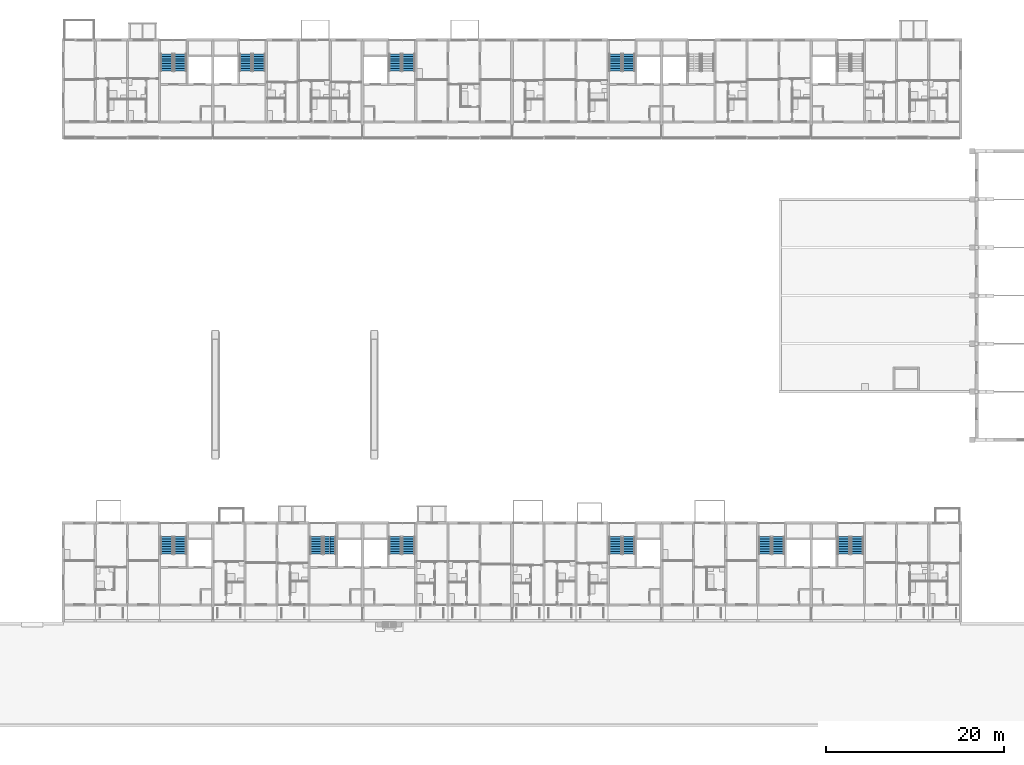
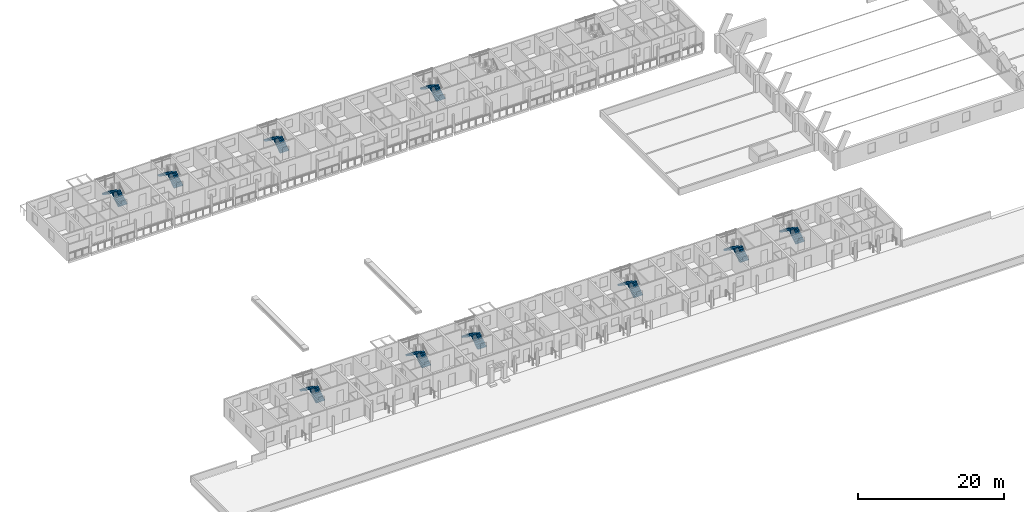
# One storey, part 74 of 115: 20 stair flights, 10 elements without a shape of their own.
"""IFC4 building model written with IfcOpenShell, lengths in metres."""

from ifc_helpers import new_model, si_unit, direction, frame, origin, place, context, subcontext, project, spatial, polyline, outline, extrude, material, type_object, element, aggregate, save


model = new_model("IFC4")

# Units and contexts
model_context = context("Model", 3, precision=1e-05, world=origin(), true_north=direction((0.0, 1.0)))
body_context = subcontext(model_context, "Body", "Model", "MODEL_VIEW")
ifc_project = project(units=[si_unit("LENGTHUNIT", "METRE"), si_unit("AREAUNIT", "SQUARE_METRE"), si_unit("VOLUMEUNIT", "CUBIC_METRE"), si_unit("PLANEANGLEUNIT", "RADIAN"), si_unit("MASSUNIT", "GRAM", prefix="KILO")], contexts=[model_context])

# Site, building, storey
site_placement = place(None, origin())
site = spatial("IfcSite", under=ifc_project, at=site_placement, CompositionType="ELEMENT")
building_placement = place(site_placement, origin())
building = spatial("IfcBuilding", under=site, at=building_placement, Name="Ridgestep Commons", CompositionType="ELEMENT")
storey_placement = place(building_placement, frame((0.0, 0.0, 6.0)))
storey = spatial("IfcBuildingStorey", under=building, at=storey_placement, Name="L02", CompositionType="ELEMENT", Elevation=6.0)

# Stair, stair flights
ifc_material_1 = material(Name="Precast concrete C40/50", Category="concrete")
stair_type = type_object("IfcStairType", Name="Escape stair 1400", PredefinedType="HALF_TURN_STAIR", material=ifc_material_1)
stair_1_placement = place(storey_placement, origin())
stair_1 = element("IfcStair", 1, at=stair_1_placement, inside=storey, type_object=stair_type, Name="L02 Escape stair A1C", PredefinedType="HALF_TURN_STAIR")
ifc_material_2 = material(Name="Precast concrete C40/50", Category="concrete")
stair_flight_type = type_object("IfcStairFlightType", Name="Stair flight 1400", PredefinedType="STRAIGHT", material=ifc_material_2)
stair_flight_1_placement = place(storey_placement, frame((25.125, 19.35009765625, 0.0), z_axis=(0.0, 0.0, 1.0), x_axis=(0.0, 1.0, 0.0)))
stair_flight_1 = element("IfcStairFlight", 2, at=stair_flight_1_placement, type_object=stair_flight_type, Name="A1C flight 1", NumberOfRisers=8, NumberOfTreads=7, PredefinedType="STRAIGHT", RiserHeight=0.1875, TreadLength=0.28, context=body_context, shape_type="SweptSolid", body=[
    extrude(outline(polyline([(0.0, 0.0), (0.0, 0.1875), (0.280029296875, 0.1875), (0.280029296875, 0.375), (0.56005859375, 0.375), (0.56005859375, 0.5625), (0.840087890625, 0.5625), (0.840087890625, 0.75), (1.1201171875, 0.75), (1.1201171875, 0.9375), (1.39990234375, 0.9375), (1.39990234375, 1.125), (1.679931640625, 1.125), (1.679931640625, 1.3125), (1.9599609375, 1.3125), (1.9599609375, 1.5), (1.9599609375, 1.132080078125), (0.26953125, 0.0), (0.0, 0.0)])), frame((0.0, 0.699951171875, 0.0), z_axis=(0.0, -1.0, 0.0), x_axis=(1.0, 0.0, 0.0)), (0.0, 0.0, 1.0), 0.695068359375),
    extrude(outline(polyline([(0.0, 0.0), (0.0, 0.1875), (0.280029296875, 0.1875), (0.280029296875, 0.375), (0.56005859375, 0.375), (0.56005859375, 0.5625), (0.840087890625, 0.5625), (0.840087890625, 0.75), (1.1201171875, 0.75), (1.1201171875, 0.9375), (1.39990234375, 0.9375), (1.39990234375, 1.125), (1.679931640625, 1.125), (1.679931640625, 1.3125), (1.9599609375, 1.3125), (1.9599609375, 1.5), (1.9599609375, 1.132080078125), (0.26953125, 0.0), (0.0, 0.0)])), frame((0.0, -0.0048828125, 0.0), z_axis=(0.0, -1.0, 0.0), x_axis=(1.0, 0.0, 0.0)), (0.0, 0.0, 1.0), 0.695068359375),
])
stair_flight_2_placement = place(storey_placement, frame((23.625, 21.31005859375, 1.5), z_axis=(0.0, 0.0, 1.0), x_axis=(0.0, -1.0, 0.0)))
stair_flight_2 = element("IfcStairFlight", 3, at=stair_flight_2_placement, type_object=stair_flight_type, Name="A1C flight 2", NumberOfRisers=8, NumberOfTreads=7, PredefinedType="STRAIGHT", RiserHeight=0.1875, TreadLength=0.28, context=body_context, shape_type="SweptSolid", body=[
    extrude(outline(polyline([(0.0, 0.0), (0.0, 0.1875), (0.280029296875, 0.1875), (0.280029296875, 0.375), (0.56005859375, 0.375), (0.56005859375, 0.5625), (0.840087890625, 0.5625), (0.840087890625, 0.75), (1.1201171875, 0.75), (1.1201171875, 0.9375), (1.39990234375, 0.9375), (1.39990234375, 1.125), (1.679931640625, 1.125), (1.679931640625, 1.3125), (1.9599609375, 1.3125), (1.9599609375, 1.5), (1.9599609375, 1.132080078125), (0.26953125, 0.0), (0.0, 0.0)])), frame((0.0, 0.699951171875, 0.0), z_axis=(0.0, -1.0, 0.0), x_axis=(1.0, 0.0, 0.0)), (0.0, 0.0, 1.0), 0.695068359375),
    extrude(outline(polyline([(0.0, 0.0), (0.0, 0.1875), (0.280029296875, 0.1875), (0.280029296875, 0.375), (0.56005859375, 0.375), (0.56005859375, 0.5625), (0.840087890625, 0.5625), (0.840087890625, 0.75), (1.1201171875, 0.75), (1.1201171875, 0.9375), (1.39990234375, 0.9375), (1.39990234375, 1.125), (1.679931640625, 1.125), (1.679931640625, 1.3125), (1.9599609375, 1.3125), (1.9599609375, 1.5), (1.9599609375, 1.132080078125), (0.26953125, 0.0), (0.0, 0.0)])), frame((0.0, -0.0048828125, 0.0), z_axis=(0.0, -1.0, 0.0), x_axis=(1.0, 0.0, 0.0)), (0.0, 0.0, 1.0), 0.695068359375),
])
aggregate(stair_1, [stair_flight_1, stair_flight_2])

stair_2_placement = place(storey_placement, origin())
stair_2 = element("IfcStair", 4, at=stair_2_placement, inside=storey, type_object=stair_type, Name="L02 Escape stair A2C", PredefinedType="HALF_TURN_STAIR")
stair_flight_3_placement = place(storey_placement, frame((41.925048828125, 19.35009765625, 0.0), z_axis=(0.0, 0.0, 1.0), x_axis=(0.0, 1.0, 0.0)))
stair_flight_3 = element("IfcStairFlight", 5, at=stair_flight_3_placement, type_object=stair_flight_type, Name="A2C flight 1", NumberOfRisers=8, NumberOfTreads=7, PredefinedType="STRAIGHT", RiserHeight=0.1875, TreadLength=0.28, context=body_context, shape_type="SweptSolid", body=[
    extrude(outline(polyline([(0.0, 0.0), (0.0, 0.1875), (0.280029296875, 0.1875), (0.280029296875, 0.375), (0.56005859375, 0.375), (0.56005859375, 0.5625), (0.840087890625, 0.5625), (0.840087890625, 0.75), (1.1201171875, 0.75), (1.1201171875, 0.9375), (1.39990234375, 0.9375), (1.39990234375, 1.125), (1.679931640625, 1.125), (1.679931640625, 1.3125), (1.9599609375, 1.3125), (1.9599609375, 1.5), (1.9599609375, 1.132080078125), (0.26953125, 0.0), (0.0, 0.0)])), frame((0.0, 0.699951171875, 0.0), z_axis=(0.0, -1.0, 0.0), x_axis=(1.0, 0.0, 0.0)), (0.0, 0.0, 1.0), 0.695068359375),
    extrude(outline(polyline([(0.0, 0.0), (0.0, 0.1875), (0.280029296875, 0.1875), (0.280029296875, 0.375), (0.56005859375, 0.375), (0.56005859375, 0.5625), (0.840087890625, 0.5625), (0.840087890625, 0.75), (1.1201171875, 0.75), (1.1201171875, 0.9375), (1.39990234375, 0.9375), (1.39990234375, 1.125), (1.679931640625, 1.125), (1.679931640625, 1.3125), (1.9599609375, 1.3125), (1.9599609375, 1.5), (1.9599609375, 1.132080078125), (0.26953125, 0.0), (0.0, 0.0)])), frame((0.0, -0.0048828125, 0.0), z_axis=(0.0, -1.0, 0.0), x_axis=(1.0, 0.0, 0.0)), (0.0, 0.0, 1.0), 0.695068359375),
])
stair_flight_4_placement = place(storey_placement, frame((40.425048828125, 21.31005859375, 1.5), z_axis=(0.0, 0.0, 1.0), x_axis=(0.0, -1.0, 0.0)))
stair_flight_4 = element("IfcStairFlight", 6, at=stair_flight_4_placement, type_object=stair_flight_type, Name="A2C flight 2", NumberOfRisers=8, NumberOfTreads=7, PredefinedType="STRAIGHT", RiserHeight=0.1875, TreadLength=0.28, context=body_context, shape_type="SweptSolid", body=[
    extrude(outline(polyline([(0.0, 0.0), (0.0, 0.1875), (0.280029296875, 0.1875), (0.280029296875, 0.375), (0.56005859375, 0.375), (0.56005859375, 0.5625), (0.840087890625, 0.5625), (0.840087890625, 0.75), (1.1201171875, 0.75), (1.1201171875, 0.9375), (1.39990234375, 0.9375), (1.39990234375, 1.125), (1.679931640625, 1.125), (1.679931640625, 1.3125), (1.9599609375, 1.3125), (1.9599609375, 1.5), (1.9599609375, 1.132080078125), (0.26953125, 0.0), (0.0, 0.0)])), frame((0.0, 0.699951171875, 0.0), z_axis=(0.0, -1.0, 0.0), x_axis=(1.0, 0.0, 0.0)), (0.0, 0.0, 1.0), 0.695068359375),
    extrude(outline(polyline([(0.0, 0.0), (0.0, 0.1875), (0.280029296875, 0.1875), (0.280029296875, 0.375), (0.56005859375, 0.375), (0.56005859375, 0.5625), (0.840087890625, 0.5625), (0.840087890625, 0.75), (1.1201171875, 0.75), (1.1201171875, 0.9375), (1.39990234375, 0.9375), (1.39990234375, 1.125), (1.679931640625, 1.125), (1.679931640625, 1.3125), (1.9599609375, 1.3125), (1.9599609375, 1.5), (1.9599609375, 1.132080078125), (0.26953125, 0.0), (0.0, 0.0)])), frame((0.0, -0.0048828125, 0.0), z_axis=(0.0, -1.0, 0.0), x_axis=(1.0, 0.0, 0.0)), (0.0, 0.0, 1.0), 0.695068359375),
])
aggregate(stair_2, [stair_flight_3, stair_flight_4])

stair_3_placement = place(storey_placement, origin())
stair_3 = element("IfcStair", 7, at=stair_3_placement, inside=storey, type_object=stair_type, Name="L02 Escape stair A3C", PredefinedType="HALF_TURN_STAIR")
stair_flight_5_placement = place(storey_placement, frame((50.77490234375, 19.35009765625, 0.0), z_axis=(0.0, 0.0, 1.0), x_axis=(0.0, 1.0, 0.0)))
stair_flight_5 = element("IfcStairFlight", 8, at=stair_flight_5_placement, type_object=stair_flight_type, Name="A3C flight 1", NumberOfRisers=8, NumberOfTreads=7, PredefinedType="STRAIGHT", RiserHeight=0.1875, TreadLength=0.28, context=body_context, shape_type="SweptSolid", body=[
    extrude(outline(polyline([(0.0, 0.0), (0.0, 0.1875), (0.280029296875, 0.1875), (0.280029296875, 0.375), (0.56005859375, 0.375), (0.56005859375, 0.5625), (0.840087890625, 0.5625), (0.840087890625, 0.75), (1.1201171875, 0.75), (1.1201171875, 0.9375), (1.39990234375, 0.9375), (1.39990234375, 1.125), (1.679931640625, 1.125), (1.679931640625, 1.3125), (1.9599609375, 1.3125), (1.9599609375, 1.5), (1.9599609375, 1.132080078125), (0.26953125, 0.0), (0.0, 0.0)])), frame((0.0, 0.699951171875, 0.0), z_axis=(0.0, -1.0, 0.0), x_axis=(1.0, 0.0, 0.0)), (0.0, 0.0, 1.0), 0.695068359375),
    extrude(outline(polyline([(0.0, 0.0), (0.0, 0.1875), (0.280029296875, 0.1875), (0.280029296875, 0.375), (0.56005859375, 0.375), (0.56005859375, 0.5625), (0.840087890625, 0.5625), (0.840087890625, 0.75), (1.1201171875, 0.75), (1.1201171875, 0.9375), (1.39990234375, 0.9375), (1.39990234375, 1.125), (1.679931640625, 1.125), (1.679931640625, 1.3125), (1.9599609375, 1.3125), (1.9599609375, 1.5), (1.9599609375, 1.132080078125), (0.26953125, 0.0), (0.0, 0.0)])), frame((0.0, -0.0048828125, 0.0), z_axis=(0.0, -1.0, 0.0), x_axis=(1.0, 0.0, 0.0)), (0.0, 0.0, 1.0), 0.695068359375),
])
stair_flight_6_placement = place(storey_placement, frame((49.27490234375, 21.31005859375, 1.5), z_axis=(0.0, 0.0, 1.0), x_axis=(0.0, -1.0, 0.0)))
stair_flight_6 = element("IfcStairFlight", 9, at=stair_flight_6_placement, type_object=stair_flight_type, Name="A3C flight 2", NumberOfRisers=8, NumberOfTreads=7, PredefinedType="STRAIGHT", RiserHeight=0.1875, TreadLength=0.28, context=body_context, shape_type="SweptSolid", body=[
    extrude(outline(polyline([(0.0, 0.0), (0.0, 0.1875), (0.280029296875, 0.1875), (0.280029296875, 0.375), (0.56005859375, 0.375), (0.56005859375, 0.5625), (0.840087890625, 0.5625), (0.840087890625, 0.75), (1.1201171875, 0.75), (1.1201171875, 0.9375), (1.39990234375, 0.9375), (1.39990234375, 1.125), (1.679931640625, 1.125), (1.679931640625, 1.3125), (1.9599609375, 1.3125), (1.9599609375, 1.5), (1.9599609375, 1.132080078125), (0.26953125, 0.0), (0.0, 0.0)])), frame((0.0, 0.699951171875, 0.0), z_axis=(0.0, -1.0, 0.0), x_axis=(1.0, 0.0, 0.0)), (0.0, 0.0, 1.0), 0.695068359375),
    extrude(outline(polyline([(0.0, 0.0), (0.0, 0.1875), (0.280029296875, 0.1875), (0.280029296875, 0.375), (0.56005859375, 0.375), (0.56005859375, 0.5625), (0.840087890625, 0.5625), (0.840087890625, 0.75), (1.1201171875, 0.75), (1.1201171875, 0.9375), (1.39990234375, 0.9375), (1.39990234375, 1.125), (1.679931640625, 1.125), (1.679931640625, 1.3125), (1.9599609375, 1.3125), (1.9599609375, 1.5), (1.9599609375, 1.132080078125), (0.26953125, 0.0), (0.0, 0.0)])), frame((0.0, -0.0048828125, 0.0), z_axis=(0.0, -1.0, 0.0), x_axis=(1.0, 0.0, 0.0)), (0.0, 0.0, 1.0), 0.695068359375),
])
aggregate(stair_3, [stair_flight_5, stair_flight_6])

stair_4_placement = place(storey_placement, origin())
stair_4 = element("IfcStair", 10, at=stair_4_placement, inside=storey, type_object=stair_type, Name="L02 Escape stair A4C", PredefinedType="HALF_TURN_STAIR")
stair_flight_7_placement = place(storey_placement, frame((75.52490234375, 19.35009765625, 0.0), z_axis=(0.0, 0.0, 1.0), x_axis=(0.0, 1.0, 0.0)))
stair_flight_7 = element("IfcStairFlight", 11, at=stair_flight_7_placement, type_object=stair_flight_type, Name="A4C flight 1", NumberOfRisers=8, NumberOfTreads=7, PredefinedType="STRAIGHT", RiserHeight=0.1875, TreadLength=0.28, context=body_context, shape_type="SweptSolid", body=[
    extrude(outline(polyline([(0.0, 0.0), (0.0, 0.1875), (0.280029296875, 0.1875), (0.280029296875, 0.375), (0.56005859375, 0.375), (0.56005859375, 0.5625), (0.840087890625, 0.5625), (0.840087890625, 0.75), (1.1201171875, 0.75), (1.1201171875, 0.9375), (1.39990234375, 0.9375), (1.39990234375, 1.125), (1.679931640625, 1.125), (1.679931640625, 1.3125), (1.9599609375, 1.3125), (1.9599609375, 1.5), (1.9599609375, 1.132080078125), (0.26953125, 0.0), (0.0, 0.0)])), frame((0.0, 0.699951171875, 0.0), z_axis=(0.0, -1.0, 0.0), x_axis=(1.0, 0.0, 0.0)), (0.0, 0.0, 1.0), 0.695068359375),
    extrude(outline(polyline([(0.0, 0.0), (0.0, 0.1875), (0.280029296875, 0.1875), (0.280029296875, 0.375), (0.56005859375, 0.375), (0.56005859375, 0.5625), (0.840087890625, 0.5625), (0.840087890625, 0.75), (1.1201171875, 0.75), (1.1201171875, 0.9375), (1.39990234375, 0.9375), (1.39990234375, 1.125), (1.679931640625, 1.125), (1.679931640625, 1.3125), (1.9599609375, 1.3125), (1.9599609375, 1.5), (1.9599609375, 1.132080078125), (0.26953125, 0.0), (0.0, 0.0)])), frame((0.0, -0.0048828125, 0.0), z_axis=(0.0, -1.0, 0.0), x_axis=(1.0, 0.0, 0.0)), (0.0, 0.0, 1.0), 0.695068359375),
])
stair_flight_8_placement = place(storey_placement, frame((74.02490234375, 21.31005859375, 1.5), z_axis=(0.0, 0.0, 1.0), x_axis=(0.0, -1.0, 0.0)))
stair_flight_8 = element("IfcStairFlight", 12, at=stair_flight_8_placement, type_object=stair_flight_type, Name="A4C flight 2", NumberOfRisers=8, NumberOfTreads=7, PredefinedType="STRAIGHT", RiserHeight=0.1875, TreadLength=0.28, context=body_context, shape_type="SweptSolid", body=[
    extrude(outline(polyline([(0.0, 0.0), (0.0, 0.1875), (0.280029296875, 0.1875), (0.280029296875, 0.375), (0.56005859375, 0.375), (0.56005859375, 0.5625), (0.840087890625, 0.5625), (0.840087890625, 0.75), (1.1201171875, 0.75), (1.1201171875, 0.9375), (1.39990234375, 0.9375), (1.39990234375, 1.125), (1.679931640625, 1.125), (1.679931640625, 1.3125), (1.9599609375, 1.3125), (1.9599609375, 1.5), (1.9599609375, 1.132080078125), (0.26953125, 0.0), (0.0, 0.0)])), frame((0.0, 0.699951171875, 0.0), z_axis=(0.0, -1.0, 0.0), x_axis=(1.0, 0.0, 0.0)), (0.0, 0.0, 1.0), 0.695068359375),
    extrude(outline(polyline([(0.0, 0.0), (0.0, 0.1875), (0.280029296875, 0.1875), (0.280029296875, 0.375), (0.56005859375, 0.375), (0.56005859375, 0.5625), (0.840087890625, 0.5625), (0.840087890625, 0.75), (1.1201171875, 0.75), (1.1201171875, 0.9375), (1.39990234375, 0.9375), (1.39990234375, 1.125), (1.679931640625, 1.125), (1.679931640625, 1.3125), (1.9599609375, 1.3125), (1.9599609375, 1.5), (1.9599609375, 1.132080078125), (0.26953125, 0.0), (0.0, 0.0)])), frame((0.0, -0.0048828125, 0.0), z_axis=(0.0, -1.0, 0.0), x_axis=(1.0, 0.0, 0.0)), (0.0, 0.0, 1.0), 0.695068359375),
])
aggregate(stair_4, [stair_flight_7, stair_flight_8])

stair_5_placement = place(storey_placement, origin())
stair_5 = element("IfcStair", 13, at=stair_5_placement, inside=storey, type_object=stair_type, Name="L02 Escape stair A5C", PredefinedType="HALF_TURN_STAIR")
stair_flight_9_placement = place(storey_placement, frame((92.324951171875, 19.35009765625, 0.0), z_axis=(0.0, 0.0, 1.0), x_axis=(0.0, 1.0, 0.0)))
stair_flight_9 = element("IfcStairFlight", 14, at=stair_flight_9_placement, type_object=stair_flight_type, Name="A5C flight 1", NumberOfRisers=8, NumberOfTreads=7, PredefinedType="STRAIGHT", RiserHeight=0.1875, TreadLength=0.28, context=body_context, shape_type="SweptSolid", body=[
    extrude(outline(polyline([(0.0, 0.0), (0.0, 0.1875), (0.280029296875, 0.1875), (0.280029296875, 0.375), (0.56005859375, 0.375), (0.56005859375, 0.5625), (0.840087890625, 0.5625), (0.840087890625, 0.75), (1.1201171875, 0.75), (1.1201171875, 0.9375), (1.39990234375, 0.9375), (1.39990234375, 1.125), (1.679931640625, 1.125), (1.679931640625, 1.3125), (1.9599609375, 1.3125), (1.9599609375, 1.5), (1.9599609375, 1.132080078125), (0.26953125, 0.0), (0.0, 0.0)])), frame((0.0, 0.699951171875, 0.0), z_axis=(0.0, -1.0, 0.0), x_axis=(1.0, 0.0, 0.0)), (0.0, 0.0, 1.0), 0.695068359375),
    extrude(outline(polyline([(0.0, 0.0), (0.0, 0.1875), (0.280029296875, 0.1875), (0.280029296875, 0.375), (0.56005859375, 0.375), (0.56005859375, 0.5625), (0.840087890625, 0.5625), (0.840087890625, 0.75), (1.1201171875, 0.75), (1.1201171875, 0.9375), (1.39990234375, 0.9375), (1.39990234375, 1.125), (1.679931640625, 1.125), (1.679931640625, 1.3125), (1.9599609375, 1.3125), (1.9599609375, 1.5), (1.9599609375, 1.132080078125), (0.26953125, 0.0), (0.0, 0.0)])), frame((0.0, -0.0048828125, 0.0), z_axis=(0.0, -1.0, 0.0), x_axis=(1.0, 0.0, 0.0)), (0.0, 0.0, 1.0), 0.695068359375),
])
stair_flight_10_placement = place(storey_placement, frame((90.824951171875, 21.31005859375, 1.5), z_axis=(0.0, 0.0, 1.0), x_axis=(0.0, -1.0, 0.0)))
stair_flight_10 = element("IfcStairFlight", 15, at=stair_flight_10_placement, type_object=stair_flight_type, Name="A5C flight 2", NumberOfRisers=8, NumberOfTreads=7, PredefinedType="STRAIGHT", RiserHeight=0.1875, TreadLength=0.28, context=body_context, shape_type="SweptSolid", body=[
    extrude(outline(polyline([(0.0, 0.0), (0.0, 0.1875), (0.280029296875, 0.1875), (0.280029296875, 0.375), (0.56005859375, 0.375), (0.56005859375, 0.5625), (0.840087890625, 0.5625), (0.840087890625, 0.75), (1.1201171875, 0.75), (1.1201171875, 0.9375), (1.39990234375, 0.9375), (1.39990234375, 1.125), (1.679931640625, 1.125), (1.679931640625, 1.3125), (1.9599609375, 1.3125), (1.9599609375, 1.5), (1.9599609375, 1.132080078125), (0.26953125, 0.0), (0.0, 0.0)])), frame((0.0, 0.699951171875, 0.0), z_axis=(0.0, -1.0, 0.0), x_axis=(1.0, 0.0, 0.0)), (0.0, 0.0, 1.0), 0.695068359375),
    extrude(outline(polyline([(0.0, 0.0), (0.0, 0.1875), (0.280029296875, 0.1875), (0.280029296875, 0.375), (0.56005859375, 0.375), (0.56005859375, 0.5625), (0.840087890625, 0.5625), (0.840087890625, 0.75), (1.1201171875, 0.75), (1.1201171875, 0.9375), (1.39990234375, 0.9375), (1.39990234375, 1.125), (1.679931640625, 1.125), (1.679931640625, 1.3125), (1.9599609375, 1.3125), (1.9599609375, 1.5), (1.9599609375, 1.132080078125), (0.26953125, 0.0), (0.0, 0.0)])), frame((0.0, -0.0048828125, 0.0), z_axis=(0.0, -1.0, 0.0), x_axis=(1.0, 0.0, 0.0)), (0.0, 0.0, 1.0), 0.695068359375),
])
aggregate(stair_5, [stair_flight_9, stair_flight_10])

stair_6_placement = place(storey_placement, origin())
stair_6 = element("IfcStair", 16, at=stair_6_placement, inside=storey, type_object=stair_type, Name="L02 Escape stair A6C", PredefinedType="HALF_TURN_STAIR")
stair_flight_11_placement = place(storey_placement, frame((101.175048828125, 19.35009765625, 0.0), z_axis=(0.0, 0.0, 1.0), x_axis=(0.0, 1.0, 0.0)))
stair_flight_11 = element("IfcStairFlight", 17, at=stair_flight_11_placement, type_object=stair_flight_type, Name="A6C flight 1", NumberOfRisers=8, NumberOfTreads=7, PredefinedType="STRAIGHT", RiserHeight=0.1875, TreadLength=0.28, context=body_context, shape_type="SweptSolid", body=[
    extrude(outline(polyline([(0.0, 0.0), (0.0, 0.1875), (0.280029296875, 0.1875), (0.280029296875, 0.375), (0.56005859375, 0.375), (0.56005859375, 0.5625), (0.840087890625, 0.5625), (0.840087890625, 0.75), (1.1201171875, 0.75), (1.1201171875, 0.9375), (1.39990234375, 0.9375), (1.39990234375, 1.125), (1.679931640625, 1.125), (1.679931640625, 1.3125), (1.9599609375, 1.3125), (1.9599609375, 1.5), (1.9599609375, 1.132080078125), (0.26953125, 0.0), (0.0, 0.0)])), frame((0.0, 0.699951171875, 0.0), z_axis=(0.0, -1.0, 0.0), x_axis=(1.0, 0.0, 0.0)), (0.0, 0.0, 1.0), 0.695068359375),
    extrude(outline(polyline([(0.0, 0.0), (0.0, 0.1875), (0.280029296875, 0.1875), (0.280029296875, 0.375), (0.56005859375, 0.375), (0.56005859375, 0.5625), (0.840087890625, 0.5625), (0.840087890625, 0.75), (1.1201171875, 0.75), (1.1201171875, 0.9375), (1.39990234375, 0.9375), (1.39990234375, 1.125), (1.679931640625, 1.125), (1.679931640625, 1.3125), (1.9599609375, 1.3125), (1.9599609375, 1.5), (1.9599609375, 1.132080078125), (0.26953125, 0.0), (0.0, 0.0)])), frame((0.0, -0.0048828125, 0.0), z_axis=(0.0, -1.0, 0.0), x_axis=(1.0, 0.0, 0.0)), (0.0, 0.0, 1.0), 0.695068359375),
])
stair_flight_12_placement = place(storey_placement, frame((99.675048828125, 21.31005859375, 1.5), z_axis=(0.0, 0.0, 1.0), x_axis=(0.0, -1.0, 0.0)))
stair_flight_12 = element("IfcStairFlight", 18, at=stair_flight_12_placement, type_object=stair_flight_type, Name="A6C flight 2", NumberOfRisers=8, NumberOfTreads=7, PredefinedType="STRAIGHT", RiserHeight=0.1875, TreadLength=0.28, context=body_context, shape_type="SweptSolid", body=[
    extrude(outline(polyline([(0.0, 0.0), (0.0, 0.1875), (0.280029296875, 0.1875), (0.280029296875, 0.375), (0.56005859375, 0.375), (0.56005859375, 0.5625), (0.840087890625, 0.5625), (0.840087890625, 0.75), (1.1201171875, 0.75), (1.1201171875, 0.9375), (1.39990234375, 0.9375), (1.39990234375, 1.125), (1.679931640625, 1.125), (1.679931640625, 1.3125), (1.9599609375, 1.3125), (1.9599609375, 1.5), (1.9599609375, 1.132080078125), (0.26953125, 0.0), (0.0, 0.0)])), frame((0.0, 0.699951171875, 0.0), z_axis=(0.0, -1.0, 0.0), x_axis=(1.0, 0.0, 0.0)), (0.0, 0.0, 1.0), 0.695068359375),
    extrude(outline(polyline([(0.0, 0.0), (0.0, 0.1875), (0.280029296875, 0.1875), (0.280029296875, 0.375), (0.56005859375, 0.375), (0.56005859375, 0.5625), (0.840087890625, 0.5625), (0.840087890625, 0.75), (1.1201171875, 0.75), (1.1201171875, 0.9375), (1.39990234375, 0.9375), (1.39990234375, 1.125), (1.679931640625, 1.125), (1.679931640625, 1.3125), (1.9599609375, 1.3125), (1.9599609375, 1.5), (1.9599609375, 1.132080078125), (0.26953125, 0.0), (0.0, 0.0)])), frame((0.0, -0.0048828125, 0.0), z_axis=(0.0, -1.0, 0.0), x_axis=(1.0, 0.0, 0.0)), (0.0, 0.0, 1.0), 0.695068359375),
])
aggregate(stair_6, [stair_flight_11, stair_flight_12])

stair_7_placement = place(storey_placement, origin())
stair_7 = element("IfcStair", 19, at=stair_7_placement, inside=storey, type_object=stair_type, Name="L02 Escape stair B1C", PredefinedType="HALF_TURN_STAIR")
stair_flight_13_placement = place(storey_placement, frame((25.125, 73.60009765625, 0.0), z_axis=(0.0, 0.0, 1.0), x_axis=(0.0, 1.0, 0.0)))
stair_flight_13 = element("IfcStairFlight", 20, at=stair_flight_13_placement, type_object=stair_flight_type, Name="B1C flight 1", NumberOfRisers=8, NumberOfTreads=7, PredefinedType="STRAIGHT", RiserHeight=0.1875, TreadLength=0.28, context=body_context, shape_type="SweptSolid", body=[
    extrude(outline(polyline([(0.0, 0.0), (0.0, 0.1875), (0.280029296875, 0.1875), (0.280029296875, 0.375), (0.56005859375, 0.375), (0.56005859375, 0.5625), (0.840087890625, 0.5625), (0.840087890625, 0.75), (1.1201171875, 0.75), (1.1201171875, 0.9375), (1.39990234375, 0.9375), (1.39990234375, 1.125), (1.679931640625, 1.125), (1.679931640625, 1.3125), (1.9599609375, 1.3125), (1.9599609375, 1.5), (1.9599609375, 1.132080078125), (0.26953125, 0.0), (0.0, 0.0)])), frame((0.0, 0.699951171875, 0.0), z_axis=(0.0, -1.0, 0.0), x_axis=(1.0, 0.0, 0.0)), (0.0, 0.0, 1.0), 0.695068359375),
    extrude(outline(polyline([(0.0, 0.0), (0.0, 0.1875), (0.280029296875, 0.1875), (0.280029296875, 0.375), (0.56005859375, 0.375), (0.56005859375, 0.5625), (0.840087890625, 0.5625), (0.840087890625, 0.75), (1.1201171875, 0.75), (1.1201171875, 0.9375), (1.39990234375, 0.9375), (1.39990234375, 1.125), (1.679931640625, 1.125), (1.679931640625, 1.3125), (1.9599609375, 1.3125), (1.9599609375, 1.5), (1.9599609375, 1.132080078125), (0.26953125, 0.0), (0.0, 0.0)])), frame((0.0, -0.0048828125, 0.0), z_axis=(0.0, -1.0, 0.0), x_axis=(1.0, 0.0, 0.0)), (0.0, 0.0, 1.0), 0.695068359375),
])
stair_flight_14_placement = place(storey_placement, frame((23.625, 75.56005859375, 1.5), z_axis=(0.0, 0.0, 1.0), x_axis=(0.0, -1.0, 0.0)))
stair_flight_14 = element("IfcStairFlight", 21, at=stair_flight_14_placement, type_object=stair_flight_type, Name="B1C flight 2", NumberOfRisers=8, NumberOfTreads=7, PredefinedType="STRAIGHT", RiserHeight=0.1875, TreadLength=0.28, context=body_context, shape_type="SweptSolid", body=[
    extrude(outline(polyline([(0.0, 0.0), (0.0, 0.1875), (0.280029296875, 0.1875), (0.280029296875, 0.375), (0.56005859375, 0.375), (0.56005859375, 0.5625), (0.840087890625, 0.5625), (0.840087890625, 0.75), (1.1201171875, 0.75), (1.1201171875, 0.9375), (1.39990234375, 0.9375), (1.39990234375, 1.125), (1.679931640625, 1.125), (1.679931640625, 1.3125), (1.9599609375, 1.3125), (1.9599609375, 1.5), (1.9599609375, 1.132080078125), (0.26953125, 0.0), (0.0, 0.0)])), frame((0.0, 0.699951171875, 0.0), z_axis=(0.0, -1.0, 0.0), x_axis=(1.0, 0.0, 0.0)), (0.0, 0.0, 1.0), 0.695068359375),
    extrude(outline(polyline([(0.0, 0.0), (0.0, 0.1875), (0.280029296875, 0.1875), (0.280029296875, 0.375), (0.56005859375, 0.375), (0.56005859375, 0.5625), (0.840087890625, 0.5625), (0.840087890625, 0.75), (1.1201171875, 0.75), (1.1201171875, 0.9375), (1.39990234375, 0.9375), (1.39990234375, 1.125), (1.679931640625, 1.125), (1.679931640625, 1.3125), (1.9599609375, 1.3125), (1.9599609375, 1.5), (1.9599609375, 1.132080078125), (0.26953125, 0.0), (0.0, 0.0)])), frame((0.0, -0.0048828125, 0.0), z_axis=(0.0, -1.0, 0.0), x_axis=(1.0, 0.0, 0.0)), (0.0, 0.0, 1.0), 0.695068359375),
])
aggregate(stair_7, [stair_flight_13, stair_flight_14])

stair_8_placement = place(storey_placement, origin())
stair_8 = element("IfcStair", 22, at=stair_8_placement, inside=storey, type_object=stair_type, Name="L02 Escape stair B2C", PredefinedType="HALF_TURN_STAIR")
stair_flight_15_placement = place(storey_placement, frame((33.97509765625, 73.60009765625, 0.0), z_axis=(0.0, 0.0, 1.0), x_axis=(0.0, 1.0, 0.0)))
stair_flight_15 = element("IfcStairFlight", 23, at=stair_flight_15_placement, type_object=stair_flight_type, Name="B2C flight 1", NumberOfRisers=8, NumberOfTreads=7, PredefinedType="STRAIGHT", RiserHeight=0.1875, TreadLength=0.28, context=body_context, shape_type="SweptSolid", body=[
    extrude(outline(polyline([(0.0, 0.0), (0.0, 0.1875), (0.280029296875, 0.1875), (0.280029296875, 0.375), (0.56005859375, 0.375), (0.56005859375, 0.5625), (0.840087890625, 0.5625), (0.840087890625, 0.75), (1.1201171875, 0.75), (1.1201171875, 0.9375), (1.39990234375, 0.9375), (1.39990234375, 1.125), (1.679931640625, 1.125), (1.679931640625, 1.3125), (1.9599609375, 1.3125), (1.9599609375, 1.5), (1.9599609375, 1.132080078125), (0.26953125, 0.0), (0.0, 0.0)])), frame((0.0, 0.699951171875, 0.0), z_axis=(0.0, -1.0, 0.0), x_axis=(1.0, 0.0, 0.0)), (0.0, 0.0, 1.0), 0.695068359375),
    extrude(outline(polyline([(0.0, 0.0), (0.0, 0.1875), (0.280029296875, 0.1875), (0.280029296875, 0.375), (0.56005859375, 0.375), (0.56005859375, 0.5625), (0.840087890625, 0.5625), (0.840087890625, 0.75), (1.1201171875, 0.75), (1.1201171875, 0.9375), (1.39990234375, 0.9375), (1.39990234375, 1.125), (1.679931640625, 1.125), (1.679931640625, 1.3125), (1.9599609375, 1.3125), (1.9599609375, 1.5), (1.9599609375, 1.132080078125), (0.26953125, 0.0), (0.0, 0.0)])), frame((0.0, -0.0048828125, 0.0), z_axis=(0.0, -1.0, 0.0), x_axis=(1.0, 0.0, 0.0)), (0.0, 0.0, 1.0), 0.695068359375),
])
stair_flight_16_placement = place(storey_placement, frame((32.47509765625, 75.56005859375, 1.5), z_axis=(0.0, 0.0, 1.0), x_axis=(0.0, -1.0, 0.0)))
stair_flight_16 = element("IfcStairFlight", 24, at=stair_flight_16_placement, type_object=stair_flight_type, Name="B2C flight 2", NumberOfRisers=8, NumberOfTreads=7, PredefinedType="STRAIGHT", RiserHeight=0.1875, TreadLength=0.28, context=body_context, shape_type="SweptSolid", body=[
    extrude(outline(polyline([(0.0, 0.0), (0.0, 0.1875), (0.280029296875, 0.1875), (0.280029296875, 0.375), (0.56005859375, 0.375), (0.56005859375, 0.5625), (0.840087890625, 0.5625), (0.840087890625, 0.75), (1.1201171875, 0.75), (1.1201171875, 0.9375), (1.39990234375, 0.9375), (1.39990234375, 1.125), (1.679931640625, 1.125), (1.679931640625, 1.3125), (1.9599609375, 1.3125), (1.9599609375, 1.5), (1.9599609375, 1.132080078125), (0.26953125, 0.0), (0.0, 0.0)])), frame((0.0, 0.699951171875, 0.0), z_axis=(0.0, -1.0, 0.0), x_axis=(1.0, 0.0, 0.0)), (0.0, 0.0, 1.0), 0.695068359375),
    extrude(outline(polyline([(0.0, 0.0), (0.0, 0.1875), (0.280029296875, 0.1875), (0.280029296875, 0.375), (0.56005859375, 0.375), (0.56005859375, 0.5625), (0.840087890625, 0.5625), (0.840087890625, 0.75), (1.1201171875, 0.75), (1.1201171875, 0.9375), (1.39990234375, 0.9375), (1.39990234375, 1.125), (1.679931640625, 1.125), (1.679931640625, 1.3125), (1.9599609375, 1.3125), (1.9599609375, 1.5), (1.9599609375, 1.132080078125), (0.26953125, 0.0), (0.0, 0.0)])), frame((0.0, -0.0048828125, 0.0), z_axis=(0.0, -1.0, 0.0), x_axis=(1.0, 0.0, 0.0)), (0.0, 0.0, 1.0), 0.695068359375),
])
aggregate(stair_8, [stair_flight_15, stair_flight_16])

stair_9_placement = place(storey_placement, origin())
stair_9 = element("IfcStair", 25, at=stair_9_placement, inside=storey, type_object=stair_type, Name="L02 Escape stair B3C", PredefinedType="HALF_TURN_STAIR")
stair_flight_17_placement = place(storey_placement, frame((50.77490234375, 73.60009765625, 0.0), z_axis=(0.0, 0.0, 1.0), x_axis=(0.0, 1.0, 0.0)))
stair_flight_17 = element("IfcStairFlight", 26, at=stair_flight_17_placement, type_object=stair_flight_type, Name="B3C flight 1", NumberOfRisers=8, NumberOfTreads=7, PredefinedType="STRAIGHT", RiserHeight=0.1875, TreadLength=0.28, context=body_context, shape_type="SweptSolid", body=[
    extrude(outline(polyline([(0.0, 0.0), (0.0, 0.1875), (0.280029296875, 0.1875), (0.280029296875, 0.375), (0.56005859375, 0.375), (0.56005859375, 0.5625), (0.840087890625, 0.5625), (0.840087890625, 0.75), (1.1201171875, 0.75), (1.1201171875, 0.9375), (1.39990234375, 0.9375), (1.39990234375, 1.125), (1.679931640625, 1.125), (1.679931640625, 1.3125), (1.9599609375, 1.3125), (1.9599609375, 1.5), (1.9599609375, 1.132080078125), (0.26953125, 0.0), (0.0, 0.0)])), frame((0.0, 0.699951171875, 0.0), z_axis=(0.0, -1.0, 0.0), x_axis=(1.0, 0.0, 0.0)), (0.0, 0.0, 1.0), 0.695068359375),
    extrude(outline(polyline([(0.0, 0.0), (0.0, 0.1875), (0.280029296875, 0.1875), (0.280029296875, 0.375), (0.56005859375, 0.375), (0.56005859375, 0.5625), (0.840087890625, 0.5625), (0.840087890625, 0.75), (1.1201171875, 0.75), (1.1201171875, 0.9375), (1.39990234375, 0.9375), (1.39990234375, 1.125), (1.679931640625, 1.125), (1.679931640625, 1.3125), (1.9599609375, 1.3125), (1.9599609375, 1.5), (1.9599609375, 1.132080078125), (0.26953125, 0.0), (0.0, 0.0)])), frame((0.0, -0.0048828125, 0.0), z_axis=(0.0, -1.0, 0.0), x_axis=(1.0, 0.0, 0.0)), (0.0, 0.0, 1.0), 0.695068359375),
])
stair_flight_18_placement = place(storey_placement, frame((49.27490234375, 75.56005859375, 1.5), z_axis=(0.0, 0.0, 1.0), x_axis=(0.0, -1.0, 0.0)))
stair_flight_18 = element("IfcStairFlight", 27, at=stair_flight_18_placement, type_object=stair_flight_type, Name="B3C flight 2", NumberOfRisers=8, NumberOfTreads=7, PredefinedType="STRAIGHT", RiserHeight=0.1875, TreadLength=0.28, context=body_context, shape_type="SweptSolid", body=[
    extrude(outline(polyline([(0.0, 0.0), (0.0, 0.1875), (0.280029296875, 0.1875), (0.280029296875, 0.375), (0.56005859375, 0.375), (0.56005859375, 0.5625), (0.840087890625, 0.5625), (0.840087890625, 0.75), (1.1201171875, 0.75), (1.1201171875, 0.9375), (1.39990234375, 0.9375), (1.39990234375, 1.125), (1.679931640625, 1.125), (1.679931640625, 1.3125), (1.9599609375, 1.3125), (1.9599609375, 1.5), (1.9599609375, 1.132080078125), (0.26953125, 0.0), (0.0, 0.0)])), frame((0.0, 0.699951171875, 0.0), z_axis=(0.0, -1.0, 0.0), x_axis=(1.0, 0.0, 0.0)), (0.0, 0.0, 1.0), 0.695068359375),
    extrude(outline(polyline([(0.0, 0.0), (0.0, 0.1875), (0.280029296875, 0.1875), (0.280029296875, 0.375), (0.56005859375, 0.375), (0.56005859375, 0.5625), (0.840087890625, 0.5625), (0.840087890625, 0.75), (1.1201171875, 0.75), (1.1201171875, 0.9375), (1.39990234375, 0.9375), (1.39990234375, 1.125), (1.679931640625, 1.125), (1.679931640625, 1.3125), (1.9599609375, 1.3125), (1.9599609375, 1.5), (1.9599609375, 1.132080078125), (0.26953125, 0.0), (0.0, 0.0)])), frame((0.0, -0.0048828125, 0.0), z_axis=(0.0, -1.0, 0.0), x_axis=(1.0, 0.0, 0.0)), (0.0, 0.0, 1.0), 0.695068359375),
])
aggregate(stair_9, [stair_flight_17, stair_flight_18])

stair_10_placement = place(storey_placement, origin())
stair_10 = element("IfcStair", 28, at=stair_10_placement, inside=storey, type_object=stair_type, Name="L02 Escape stair B4C", PredefinedType="HALF_TURN_STAIR")
stair_flight_19_placement = place(storey_placement, frame((75.52490234375, 73.60009765625, 0.0), z_axis=(0.0, 0.0, 1.0), x_axis=(0.0, 1.0, 0.0)))
stair_flight_19 = element("IfcStairFlight", 29, at=stair_flight_19_placement, type_object=stair_flight_type, Name="B4C flight 1", NumberOfRisers=8, NumberOfTreads=7, PredefinedType="STRAIGHT", RiserHeight=0.1875, TreadLength=0.28, context=body_context, shape_type="SweptSolid", body=[
    extrude(outline(polyline([(0.0, 0.0), (0.0, 0.1875), (0.280029296875, 0.1875), (0.280029296875, 0.375), (0.56005859375, 0.375), (0.56005859375, 0.5625), (0.840087890625, 0.5625), (0.840087890625, 0.75), (1.1201171875, 0.75), (1.1201171875, 0.9375), (1.39990234375, 0.9375), (1.39990234375, 1.125), (1.679931640625, 1.125), (1.679931640625, 1.3125), (1.9599609375, 1.3125), (1.9599609375, 1.5), (1.9599609375, 1.132080078125), (0.26953125, 0.0), (0.0, 0.0)])), frame((0.0, 0.699951171875, 0.0), z_axis=(0.0, -1.0, 0.0), x_axis=(1.0, 0.0, 0.0)), (0.0, 0.0, 1.0), 0.695068359375),
    extrude(outline(polyline([(0.0, 0.0), (0.0, 0.1875), (0.280029296875, 0.1875), (0.280029296875, 0.375), (0.56005859375, 0.375), (0.56005859375, 0.5625), (0.840087890625, 0.5625), (0.840087890625, 0.75), (1.1201171875, 0.75), (1.1201171875, 0.9375), (1.39990234375, 0.9375), (1.39990234375, 1.125), (1.679931640625, 1.125), (1.679931640625, 1.3125), (1.9599609375, 1.3125), (1.9599609375, 1.5), (1.9599609375, 1.132080078125), (0.26953125, 0.0), (0.0, 0.0)])), frame((0.0, -0.0048828125, 0.0), z_axis=(0.0, -1.0, 0.0), x_axis=(1.0, 0.0, 0.0)), (0.0, 0.0, 1.0), 0.695068359375),
])
stair_flight_20_placement = place(storey_placement, frame((74.02490234375, 75.56005859375, 1.5), z_axis=(0.0, 0.0, 1.0), x_axis=(0.0, -1.0, 0.0)))
stair_flight_20 = element("IfcStairFlight", 30, at=stair_flight_20_placement, type_object=stair_flight_type, Name="B4C flight 2", NumberOfRisers=8, NumberOfTreads=7, PredefinedType="STRAIGHT", RiserHeight=0.1875, TreadLength=0.28, context=body_context, shape_type="SweptSolid", body=[
    extrude(outline(polyline([(0.0, 0.0), (0.0, 0.1875), (0.280029296875, 0.1875), (0.280029296875, 0.375), (0.56005859375, 0.375), (0.56005859375, 0.5625), (0.840087890625, 0.5625), (0.840087890625, 0.75), (1.1201171875, 0.75), (1.1201171875, 0.9375), (1.39990234375, 0.9375), (1.39990234375, 1.125), (1.679931640625, 1.125), (1.679931640625, 1.3125), (1.9599609375, 1.3125), (1.9599609375, 1.5), (1.9599609375, 1.132080078125), (0.26953125, 0.0), (0.0, 0.0)])), frame((0.0, 0.699951171875, 0.0), z_axis=(0.0, -1.0, 0.0), x_axis=(1.0, 0.0, 0.0)), (0.0, 0.0, 1.0), 0.695068359375),
    extrude(outline(polyline([(0.0, 0.0), (0.0, 0.1875), (0.280029296875, 0.1875), (0.280029296875, 0.375), (0.56005859375, 0.375), (0.56005859375, 0.5625), (0.840087890625, 0.5625), (0.840087890625, 0.75), (1.1201171875, 0.75), (1.1201171875, 0.9375), (1.39990234375, 0.9375), (1.39990234375, 1.125), (1.679931640625, 1.125), (1.679931640625, 1.3125), (1.9599609375, 1.3125), (1.9599609375, 1.5), (1.9599609375, 1.132080078125), (0.26953125, 0.0), (0.0, 0.0)])), frame((0.0, -0.0048828125, 0.0), z_axis=(0.0, -1.0, 0.0), x_axis=(1.0, 0.0, 0.0)), (0.0, 0.0, 1.0), 0.695068359375),
])
aggregate(stair_10, [stair_flight_19, stair_flight_20])

save(model, "model.ifc")
